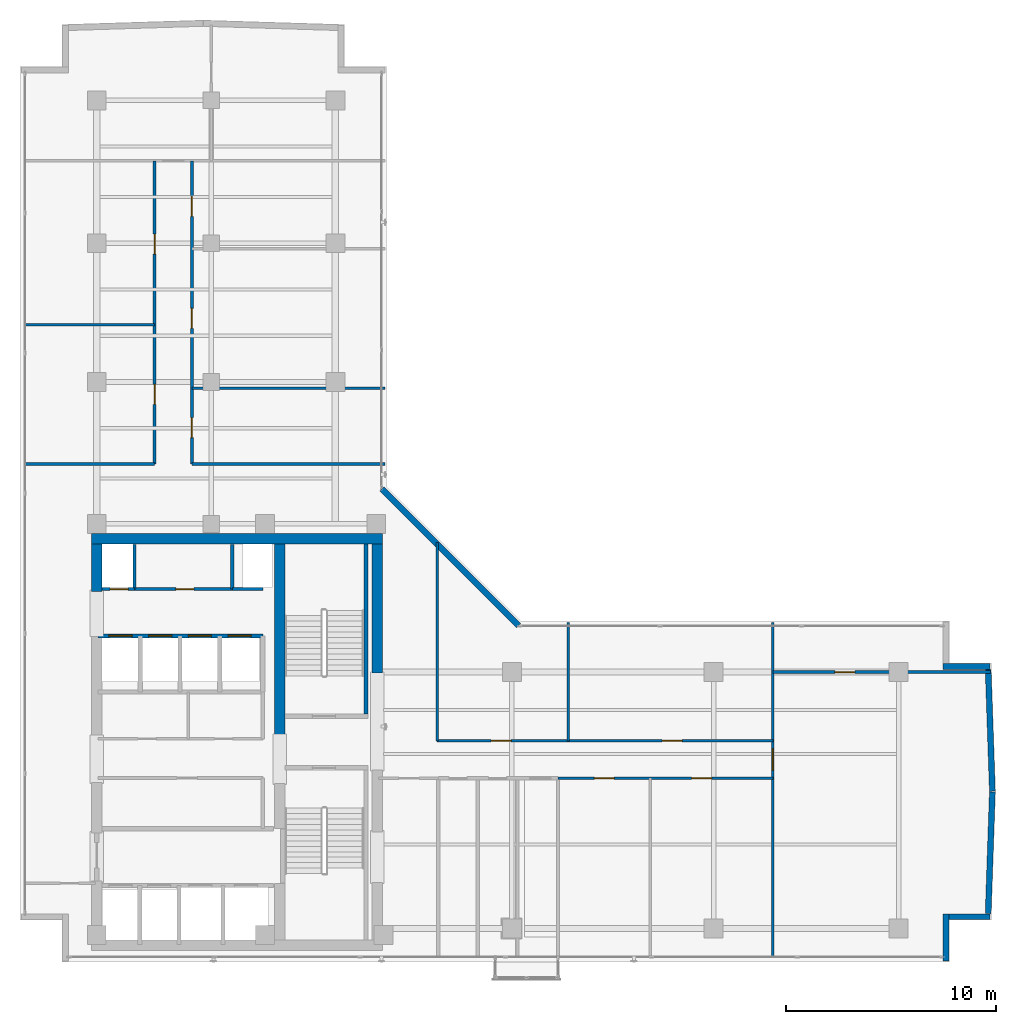
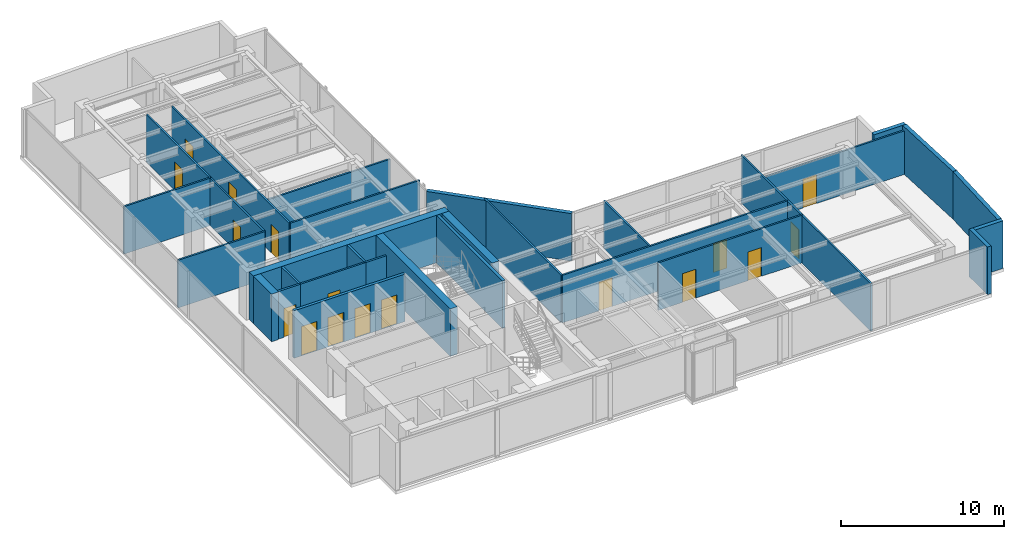
# One storey, part 18 of 22: 29 walls, 17 doors, 17 openings.
"""IFC4 building model written with IfcOpenShell, lengths in metres."""

from ifc_helpers import new_model, si_unit, direction, frame, frame_2d, origin, place, context, subcontext, project, spatial, rectangle, extrude, material, layer, layer_set, type_object, element, fill, save


model = new_model("IFC4")

# Units and contexts
model_context = context("Model", 3, precision=1e-05, world=origin(), true_north=direction((0.0, 1.0)))
body_context = subcontext(model_context, "Body", "Model", "MODEL_VIEW")
ifc_project = project(units=[si_unit("LENGTHUNIT", "METRE"), si_unit("AREAUNIT", "SQUARE_METRE"), si_unit("VOLUMEUNIT", "CUBIC_METRE"), si_unit("PLANEANGLEUNIT", "RADIAN"), si_unit("MASSUNIT", "GRAM", prefix="KILO")], contexts=[model_context])

# Site, building, storey
site_placement = place(None, origin())
site = spatial("IfcSite", under=ifc_project, at=site_placement, CompositionType="ELEMENT")
building_placement = place(site_placement, origin())
building = spatial("IfcBuilding", under=site, at=building_placement, Name="Kolvaren Waterfront Exchange", CompositionType="ELEMENT")
storey_placement = place(building_placement, frame((0.0, 0.0, 323.60009765625)))
storey = spatial("IfcBuildingStorey", under=building, at=storey_placement, Name="L83", CompositionType="ELEMENT", Elevation=323.60009765625)

# Walls
ifc_material_1 = material(Name="Precast concrete C40/50", Category="concrete")
ifc_layer_1 = layer(ifc_material_1, 0.280029296875, Name="Precast concrete C40/50")
ifc_layer_set_1 = layer_set([ifc_layer_1], Name="Precast concrete C40/50")
wall_type_1 = type_object("IfcWallType", Name="ARC-EXT-TERR-280", PredefinedType="SOLIDWALL", material=ifc_layer_set_1)
wall_1_placement = place(storey_placement, frame((47.8505859375, 3.659912109375, 0.0), z_axis=(0.0, 0.0, 1.0), x_axis=(0.0, 1.0, 0.0)))
element("IfcWall", 1, at=wall_1_placement, inside=storey, type_object=wall_type_1, Name="L83 notched corner spandrel pier SE-A", PredefinedType="SOLIDWALL", context=body_context, shape_type="SweptSolid", body=[
    extrude(rectangle(XDim=2.239990234375, YDim=0.280029296875, at=frame_2d((1.1201171875, 0.0))), origin(), (0.0, 0.0, 1.0), 3.559814453125),
])
wall_2_placement = place(storey_placement, frame((47.990478515625, 5.760009765625, 0.0), z_axis=(0.0, 0.0, 1.0), x_axis=(1.0, 0.0, 0.0)))
element("IfcWall", 2, at=wall_2_placement, inside=storey, type_object=wall_type_1, Name="L83 notched corner spandrel pier SE-B", PredefinedType="SOLIDWALL", context=body_context, shape_type="SweptSolid", body=[
    extrude(rectangle(XDim=1.9599609375, YDim=0.280029296875, at=frame_2d((0.97998046875, 0.0))), origin(), (0.0, 0.0, 1.0), 3.559814453125),
])
wall_3_placement = place(storey_placement, frame((47.71044921875, 17.671630859375, 0.0), z_axis=(0.0, 0.0, 1.0), x_axis=(1.0, 0.0, 0.0)))
element("IfcWall", 3, at=wall_3_placement, inside=storey, type_object=wall_type_1, Name="L83 notched corner spandrel pier ENE-B", PredefinedType="SOLIDWALL", context=body_context, shape_type="SweptSolid", body=[
    extrude(rectangle(XDim=2.239990234375, YDim=0.280029296875, at=frame_2d((1.1201171875, 0.0))), origin(), (0.0, 0.0, 1.0), 3.559814453125),
])
wall_4_placement = place(storey_placement, frame((27.5166015625, 19.606689453125, 0.0), z_axis=(0.0, 0.0, 1.0), x_axis=(-0.707106781187, 0.707106781187, 0.0)))
element("IfcWall", 4, at=wall_4_placement, inside=storey, type_object=wall_type_1, Name="L83 notched corner spandrel pier ELBOW", PredefinedType="SOLIDWALL", context=body_context, shape_type="SweptSolid", body=[
    extrude(rectangle(XDim=9.20654296875, YDim=0.280029296875, at=frame_2d((4.603271484375, 0.0))), origin(), (0.0, 0.0, 1.0), 3.559814453125),
])
for number, where, z_axis, x_axis, name in (
    (5, (49.86083984375, 5.9052734375, 0.0), (0.0, 0.0, 1.0), (0.034392681863, 0.99940839672, 0.0), "L83 east prow faceted facade wall 1"),
    (6, (50.060302734375, 11.730224609375, 0.0), (0.0, 0.0, 1.0), (-0.034392681863, 0.99940839672, 0.0), "L83 east prow faceted facade wall 2"),
):
    element("IfcWall", number, at=place(storey_placement, frame(where, z_axis=z_axis, x_axis=x_axis)), inside=storey, type_object=wall_type_1, Name=name, PredefinedType="SOLIDWALL", context=body_context, shape_type="SweptSolid", body=[
        extrude(rectangle(XDim=5.799560546875, YDim=0.280029296875, at=frame_2d((2.89990234375, 0.0))), origin(), (0.0, 0.0, 1.0), 3.559814453125),
    ])

# Wall, opening, door
ifc_material_2 = material(Name="Acoustic gypsum steel stud", Category="steel")
ifc_layer_2 = layer(ifc_material_2, 0.125, Name="Acoustic gypsum steel stud")
ifc_layer_set_2 = layer_set([ifc_layer_2], Name="Acoustic gypsum steel stud")
wall_type_2 = type_object("IfcWallType", Name="ARC-PART-125", PredefinedType="PARTITIONING", material=ifc_layer_set_2)
wall_5_placement = place(storey_placement, frame((9.25, 21.35009765625, 0.0), z_axis=(0.0, 0.0, 1.0), x_axis=(1.0, 0.0, 0.0)))
wall_5 = element("IfcWall", 7, at=wall_5_placement, inside=storey, type_object=wall_type_2, Name="L83 interior wall PW-L83-SVC-HI-S", PredefinedType="PARTITIONING", context=body_context, shape_type="SweptSolid", body=[
    extrude(rectangle(XDim=4.64990234375, YDim=0.125, at=frame_2d((2.324951171875, 0.0))), origin(), (0.0, 0.0, 1.0), 3.559814453125),
])
opening_1_placement = place(wall_5_placement, frame((1.971435546875, 0.0, 0.0)))
opening_1 = element("IfcOpeningElement", 8, at=opening_1_placement, cuts=wall_5, Name="Opening D01", PredefinedType="OPENING", context=body_context, shape_type="SweptSolid", body=[
    extrude(rectangle(XDim=0.85009765625, YDim=2.14990234375, at=frame_2d((0.425048828125, 1.074951171875))), frame((0.0, 0.072509765625, 0.0), z_axis=(0.0, -1.0, 0.0), x_axis=(1.0, 0.0, 0.0)), (0.0, 0.0, 1.0), 0.14501953125),
])
ifc_material_3 = material(Name="Oak veneer timber leaf", Category="wood")
door_type_1 = type_object("IfcDoorType", Name="ARC-DR-900", OperationType="NOTDEFINED", PredefinedType="DOOR", material=ifc_material_3)
door_1_placement = place(opening_1_placement, origin())
door_1 = element("IfcDoor", 9, at=door_1_placement, inside=storey, type_object=door_type_1, Name="L83 door DR-L83-SVC-DR-1 (D01)", OperationType="SINGLE_SWING_LEFT", OverallHeight=2.14990234375, OverallWidth=0.85009765625, PredefinedType="DOOR", context=body_context, shape_type="SweptSolid", body=[
    extrude(rectangle(XDim=0.85009765625, YDim=2.14990234375, at=frame_2d((0.425048828125, 1.074951171875))), frame((0.0, 0.02490234375, 0.0), z_axis=(0.0, -1.0, 0.0), x_axis=(1.0, 0.0, 0.0)), (0.0, 0.0, 1.0), 0.050048828125),
])
fill(opening_1, door_1)

# Wall, openings, doors
wall_6_placement = place(storey_placement, frame((29.39990234375, 12.35009765625, 0.0), z_axis=(0.0, 0.0, 1.0), x_axis=(1.0, 0.0, 0.0)))
wall_6 = element("IfcWall", 10, at=wall_6_placement, inside=storey, type_object=wall_type_2, Name="L83 interior wall PW-L83-ES-CORR", PredefinedType="PARTITIONING", context=body_context, shape_type="SweptSolid", body=[
    extrude(rectangle(XDim=10.22021484375, YDim=0.125, at=frame_2d((5.110107421875, 0.0))), origin(), (0.0, 0.0, 1.0), 3.559814453125),
])
opening_2_placement = place(wall_6_placement, frame((1.719970703125, 0.0, 0.0)))
opening_2 = element("IfcOpeningElement", 11, at=opening_2_placement, cuts=wall_6, Name="Opening D02", PredefinedType="OPENING", context=body_context, shape_type="SweptSolid", body=[
    extrude(rectangle(XDim=0.949951171875, YDim=2.14990234375, at=frame_2d((0.47509765625, 1.074951171875))), frame((0.0, 0.072509765625, 0.0), z_axis=(0.0, -1.0, 0.0), x_axis=(1.0, 0.0, 0.0)), (0.0, 0.0, 1.0), 0.14501953125),
])
opening_3_placement = place(wall_6_placement, frame((6.35498046875, 0.0, 0.0)))
opening_3 = element("IfcOpeningElement", 12, at=opening_3_placement, cuts=wall_6, Name="Opening D02", PredefinedType="OPENING", context=body_context, shape_type="SweptSolid", body=[
    extrude(rectangle(XDim=0.949951171875, YDim=2.14990234375, at=frame_2d((0.47509765625, 1.074951171875))), frame((0.0, 0.072509765625, 0.0), z_axis=(0.0, -1.0, 0.0), x_axis=(1.0, 0.0, 0.0)), (0.0, 0.0, 1.0), 0.14501953125),
])
ifc_material_4 = material(Name="Oak veneer acoustic timber", Category="wood")
door_type_2 = type_object("IfcDoorType", Name="ARC-DR-950", OperationType="NOTDEFINED", PredefinedType="DOOR", material=ifc_material_4)
door_2_placement = place(opening_2_placement, origin())
door_2 = element("IfcDoor", 13, at=door_2_placement, inside=storey, type_object=door_type_2, Name="L83 door DR-L83-ES-D-1 (D02)", OperationType="SINGLE_SWING_LEFT", OverallHeight=2.14990234375, OverallWidth=0.949951171875, PredefinedType="DOOR", context=body_context, shape_type="SweptSolid", body=[
    extrude(rectangle(XDim=0.949951171875, YDim=2.14990234375, at=frame_2d((0.47509765625, 1.074951171875))), frame((0.0, 0.02490234375, 0.0), z_axis=(0.0, -1.0, 0.0), x_axis=(1.0, 0.0, 0.0)), (0.0, 0.0, 1.0), 0.050048828125),
])
fill(opening_2, door_2)
door_3_placement = place(opening_3_placement, origin())
door_3 = element("IfcDoor", 14, at=door_3_placement, inside=storey, type_object=door_type_2, Name="L83 door DR-L83-ES-D-2 (D02)", OperationType="SINGLE_SWING_RIGHT", OverallHeight=2.14990234375, OverallWidth=0.949951171875, PredefinedType="DOOR", context=body_context, shape_type="SweptSolid", body=[
    extrude(rectangle(XDim=0.949951171875, YDim=2.14990234375, at=frame_2d((0.47509765625, 1.074951171875))), frame((0.0, 0.02490234375, 0.0), z_axis=(0.0, -1.0, 0.0), x_axis=(1.0, 0.0, 0.0)), (0.0, 0.0, 1.0), 0.050048828125),
])
fill(opening_3, door_3)

# Wall, opening, door
wall_7_placement = place(storey_placement, frame((39.6201171875, 3.840087890625, 0.0), z_axis=(0.0, 0.0, 1.0), x_axis=(0.0, 1.0, 0.0)))
wall_7 = element("IfcWall", 15, at=wall_7_placement, inside=storey, type_object=wall_type_2, Name="L83 interior wall PW-L83-ETIP-W", PredefinedType="PARTITIONING", context=body_context, shape_type="SweptSolid", body=[
    extrude(rectangle(XDim=15.919921875, YDim=0.125, at=frame_2d((7.9599609375, 0.0))), origin(), (0.0, 0.0, 1.0), 3.559814453125),
])
opening_4_placement = place(wall_7_placement, frame((8.89990234375, 0.0, 0.0)))
opening_4 = element("IfcOpeningElement", 16, at=opening_4_placement, cuts=wall_7, Name="Opening D03", PredefinedType="OPENING", context=body_context, shape_type="SweptSolid", body=[
    extrude(rectangle(XDim=1.0, YDim=2.199951171875, at=frame_2d((0.5, 1.10009765625))), frame((0.0, 0.072509765625, 0.0), z_axis=(0.0, -1.0, 0.0), x_axis=(1.0, 0.0, 0.0)), (0.0, 0.0, 1.0), 0.14501953125),
])
ifc_material_5 = material(Name="Oak veneer accessible timber", Category="wood")
door_type_3 = type_object("IfcDoorType", Name="ARC-DR-1000", OperationType="NOTDEFINED", PredefinedType="DOOR", material=ifc_material_5)
door_4_placement = place(opening_4_placement, origin())
door_4 = element("IfcDoor", 17, at=door_4_placement, inside=storey, type_object=door_type_3, Name="L83 door DR-L83-ETIP1-D (D03)", OperationType="SINGLE_SWING_LEFT", OverallHeight=2.199951171875, OverallWidth=1.0, PredefinedType="DOOR", context=body_context, shape_type="SweptSolid", body=[
    extrude(rectangle(XDim=1.0, YDim=2.199951171875, at=frame_2d((0.5, 1.10009765625))), frame((0.0, 0.02490234375, 0.0), z_axis=(0.0, -1.0, 0.0), x_axis=(1.0, 0.0, 0.0)), (0.0, 0.0, 1.0), 0.050048828125),
])
fill(opening_4, door_4)

wall_8_placement = place(storey_placement, frame((39.6201171875, 17.39990234375, 0.0), z_axis=(0.0, 0.0, 1.0), x_axis=(1.0, 0.0, 0.0)))
wall_8 = element("IfcWall", 18, at=wall_8_placement, inside=storey, type_object=wall_type_2, Name="L83 interior wall PW-L83-ETIP-MID", PredefinedType="PARTITIONING", context=body_context, shape_type="SweptSolid", body=[
    extrude(rectangle(XDim=10.36083984375, YDim=0.125, at=frame_2d((5.180419921875, 0.0))), origin(), (0.0, 0.0, 1.0), 3.260009765625),
])
opening_5_placement = place(wall_8_placement, frame((2.949951171875, 0.0, 0.0)))
opening_5 = element("IfcOpeningElement", 19, at=opening_5_placement, cuts=wall_8, Name="Opening D02", PredefinedType="OPENING", context=body_context, shape_type="SweptSolid", body=[
    extrude(rectangle(XDim=0.949951171875, YDim=2.14990234375, at=frame_2d((0.47509765625, 1.074951171875))), frame((0.0, 0.072509765625, 0.0), z_axis=(0.0, -1.0, 0.0), x_axis=(1.0, 0.0, 0.0)), (0.0, 0.0, 1.0), 0.14501953125),
])
door_5_placement = place(opening_5_placement, origin())
door_5 = element("IfcDoor", 20, at=door_5_placement, inside=storey, type_object=door_type_2, Name="L83 door DR-L83-ETIP2-D (D02)", OperationType="SINGLE_SWING_RIGHT", OverallHeight=2.14990234375, OverallWidth=0.949951171875, PredefinedType="DOOR", context=body_context, shape_type="SweptSolid", body=[
    extrude(rectangle(XDim=0.949951171875, YDim=2.14990234375, at=frame_2d((0.47509765625, 1.074951171875))), frame((0.0, 0.02490234375, 0.0), z_axis=(0.0, -1.0, 0.0), x_axis=(1.0, 0.0, 0.0)), (0.0, 0.0, 1.0), 0.050048828125),
])
fill(opening_5, door_5)

# Wall
wall_9_placement = place(storey_placement, frame((23.64990234375, 14.1298828125, 0.0), z_axis=(0.0, 0.0, 1.0), x_axis=(0.0, 1.0, 0.0)))
element("IfcWall", 21, at=wall_9_placement, inside=storey, type_object=wall_type_2, Name="L83 interior wall PW-L83-EN-W0", PredefinedType="PARTITIONING", context=body_context, shape_type="SweptSolid", body=[
    extrude(rectangle(XDim=9.443359375, YDim=0.125, at=frame_2d((4.7216796875, 0.0))), origin(), (0.0, 0.0, 1.0), 3.559814453125),
])

# Wall, openings, doors
wall_10_placement = place(storey_placement, frame((23.64990234375, 14.1298828125, 0.0), z_axis=(0.0, 0.0, 1.0), x_axis=(1.0, 0.0, 0.0)))
wall_10 = element("IfcWall", 22, at=wall_10_placement, inside=storey, type_object=wall_type_2, Name="L83 interior wall PW-L83-EN-CORR", PredefinedType="PARTITIONING", context=body_context, shape_type="SweptSolid", body=[
    extrude(rectangle(XDim=15.97021484375, YDim=0.125, at=frame_2d((7.985107421875, 0.0))), origin(), (0.0, 0.0, 1.0), 3.559814453125),
])
opening_6_placement = place(wall_10_placement, frame((2.567626953125, 0.0, 0.0)))
opening_6 = element("IfcOpeningElement", 23, at=opening_6_placement, cuts=wall_10, Name="Opening D02", PredefinedType="OPENING", context=body_context, shape_type="SweptSolid", body=[
    extrude(rectangle(XDim=0.949951171875, YDim=2.14990234375, at=frame_2d((0.47509765625, 1.074951171875))), frame((0.0, 0.072509765625, 0.0), z_axis=(0.0, -1.0, 0.0), x_axis=(1.0, 0.0, 0.0)), (0.0, 0.0, 1.0), 0.14501953125),
])
opening_7_placement = place(wall_10_placement, frame((10.695068359375, 0.0, 0.0)))
opening_7 = element("IfcOpeningElement", 24, at=opening_7_placement, cuts=wall_10, Name="Opening D02", PredefinedType="OPENING", context=body_context, shape_type="SweptSolid", body=[
    extrude(rectangle(XDim=0.949951171875, YDim=2.14990234375, at=frame_2d((0.47509765625, 1.074951171875))), frame((0.0, 0.072509765625, 0.0), z_axis=(0.0, -1.0, 0.0), x_axis=(1.0, 0.0, 0.0)), (0.0, 0.0, 1.0), 0.14501953125),
])
door_6_placement = place(opening_6_placement, origin())
door_6 = element("IfcDoor", 25, at=door_6_placement, inside=storey, type_object=door_type_2, Name="L83 door DR-L83-EN-D-1 (D02)", OperationType="SINGLE_SWING_LEFT", OverallHeight=2.14990234375, OverallWidth=0.949951171875, PredefinedType="DOOR", context=body_context, shape_type="SweptSolid", body=[
    extrude(rectangle(XDim=0.949951171875, YDim=2.14990234375, at=frame_2d((0.47509765625, 1.074951171875))), frame((0.0, 0.02490234375, 0.0), z_axis=(0.0, -1.0, 0.0), x_axis=(1.0, 0.0, 0.0)), (0.0, 0.0, 1.0), 0.050048828125),
])
fill(opening_6, door_6)
door_7_placement = place(opening_7_placement, origin())
door_7 = element("IfcDoor", 26, at=door_7_placement, inside=storey, type_object=door_type_2, Name="L83 door DR-L83-EN-D-2 (D02)", OperationType="SINGLE_SWING_RIGHT", OverallHeight=2.14990234375, OverallWidth=0.949951171875, PredefinedType="DOOR", context=body_context, shape_type="SweptSolid", body=[
    extrude(rectangle(XDim=0.949951171875, YDim=2.14990234375, at=frame_2d((0.47509765625, 1.074951171875))), frame((0.0, 0.02490234375, 0.0), z_axis=(0.0, -1.0, 0.0), x_axis=(1.0, 0.0, 0.0)), (0.0, 0.0, 1.0), 0.050048828125),
])
fill(opening_7, door_7)

# Walls
wall_11_placement = place(storey_placement, frame((29.8798828125, 14.1298828125, 0.0), z_axis=(0.0, 0.0, 1.0), x_axis=(0.0, 1.0, 0.0)))
element("IfcWall", 27, at=wall_11_placement, inside=storey, type_object=wall_type_2, Name="L83 interior wall PW-L83-EN-DIV-1", PredefinedType="PARTITIONING", context=body_context, shape_type="SweptSolid", body=[
    extrude(rectangle(XDim=5.630126953125, YDim=0.125, at=frame_2d((2.81494140625, 0.0))), origin(), (0.0, 0.0, 1.0), 3.559814453125),
])
wall_12_placement = place(storey_placement, frame((4.0400390625, 27.300048828125, 0.0), z_axis=(0.0, 0.0, 1.0), x_axis=(1.0, 0.0, 0.0)))
element("IfcWall", 28, at=wall_12_placement, inside=storey, type_object=wall_type_2, Name="L83 interior wall PW-L83-NW-S0", PredefinedType="PARTITIONING", context=body_context, shape_type="SweptSolid", body=[
    extrude(rectangle(XDim=6.159912109375, YDim=0.125, at=frame_2d((3.080078125, 0.0))), origin(), (0.0, 0.0, 1.0), 3.559814453125),
])

# Wall, openings, doors
wall_13_placement = place(storey_placement, frame((10.199951171875, 27.300048828125, 0.0), z_axis=(0.0, 0.0, 1.0), x_axis=(0.0, 1.0, 0.0)))
wall_13 = element("IfcWall", 29, at=wall_13_placement, inside=storey, type_object=wall_type_2, Name="L83 interior wall PW-L83-NW-CORR", PredefinedType="PARTITIONING", context=body_context, shape_type="SweptSolid", body=[
    extrude(rectangle(XDim=14.419921875, YDim=0.125, at=frame_2d((7.2099609375, 0.0))), origin(), (0.0, 0.0, 1.0), 3.559814453125),
])
opening_8_placement = place(wall_13_placement, frame((2.840087890625, 0.0, 0.0)))
opening_8 = element("IfcOpeningElement", 30, at=opening_8_placement, cuts=wall_13, Name="Opening D02", PredefinedType="OPENING", context=body_context, shape_type="SweptSolid", body=[
    extrude(rectangle(XDim=0.949951171875, YDim=2.14990234375, at=frame_2d((0.47509765625, 1.074951171875))), frame((0.0, 0.072509765625, 0.0), z_axis=(0.0, -1.0, 0.0), x_axis=(1.0, 0.0, 0.0)), (0.0, 0.0, 1.0), 0.14501953125),
])
opening_9_placement = place(wall_13_placement, frame((9.979736328125, 0.0, 0.0)))
opening_9 = element("IfcOpeningElement", 31, at=opening_9_placement, cuts=wall_13, Name="Opening D02", PredefinedType="OPENING", context=body_context, shape_type="SweptSolid", body=[
    extrude(rectangle(XDim=0.949951171875, YDim=2.14990234375, at=frame_2d((0.47509765625, 1.074951171875))), frame((0.0, 0.072509765625, 0.0), z_axis=(0.0, -1.0, 0.0), x_axis=(1.0, 0.0, 0.0)), (0.0, 0.0, 1.0), 0.14501953125),
])
door_8_placement = place(opening_8_placement, origin())
door_8 = element("IfcDoor", 32, at=door_8_placement, inside=storey, type_object=door_type_2, Name="L83 door DR-L83-NW-D-1 (D02)", OperationType="SINGLE_SWING_LEFT", OverallHeight=2.14990234375, OverallWidth=0.949951171875, PredefinedType="DOOR", context=body_context, shape_type="SweptSolid", body=[
    extrude(rectangle(XDim=0.949951171875, YDim=2.14990234375, at=frame_2d((0.47509765625, 1.074951171875))), frame((0.0, 0.02490234375, 0.0), z_axis=(0.0, -1.0, 0.0), x_axis=(1.0, 0.0, 0.0)), (0.0, 0.0, 1.0), 0.050048828125),
])
fill(opening_8, door_8)
door_9_placement = place(opening_9_placement, origin())
door_9 = element("IfcDoor", 33, at=door_9_placement, inside=storey, type_object=door_type_2, Name="L83 door DR-L83-NW-D-2 (D02)", OperationType="SINGLE_SWING_RIGHT", OverallHeight=2.14990234375, OverallWidth=0.949951171875, PredefinedType="DOOR", context=body_context, shape_type="SweptSolid", body=[
    extrude(rectangle(XDim=0.949951171875, YDim=2.14990234375, at=frame_2d((0.47509765625, 1.074951171875))), frame((0.0, 0.02490234375, 0.0), z_axis=(0.0, -1.0, 0.0), x_axis=(1.0, 0.0, 0.0)), (0.0, 0.0, 1.0), 0.050048828125),
])
fill(opening_9, door_9)

# Walls
wall_14_placement = place(storey_placement, frame((4.0400390625, 33.929931640625, 0.0), z_axis=(0.0, 0.0, 1.0), x_axis=(1.0, 0.0, 0.0)))
element("IfcWall", 34, at=wall_14_placement, inside=storey, type_object=wall_type_2, Name="L83 interior wall PW-L83-NW-DIV-1", PredefinedType="PARTITIONING", context=body_context, shape_type="SweptSolid", body=[
    extrude(rectangle(XDim=6.159912109375, YDim=0.125, at=frame_2d((3.080078125, 0.0))), origin(), (0.0, 0.0, 1.0), 3.559814453125),
])
wall_15_placement = place(storey_placement, frame((11.97998046875, 27.300048828125, 0.0), z_axis=(0.0, 0.0, 1.0), x_axis=(1.0, 0.0, 0.0)))
element("IfcWall", 35, at=wall_15_placement, inside=storey, type_object=wall_type_2, Name="L83 interior wall PW-L83-NE-S0", PredefinedType="PARTITIONING", context=body_context, shape_type="SweptSolid", body=[
    extrude(rectangle(XDim=9.179931640625, YDim=0.125, at=frame_2d((4.58984375, 0.0))), origin(), (0.0, 0.0, 1.0), 3.559814453125),
])

# Wall, openings, doors
wall_16_placement = place(storey_placement, frame((11.97998046875, 27.300048828125, 0.0), z_axis=(0.0, 0.0, 1.0), x_axis=(0.0, 1.0, 0.0)))
wall_16 = element("IfcWall", 36, at=wall_16_placement, inside=storey, type_object=wall_type_2, Name="L83 interior wall PW-L83-NE-CORR", PredefinedType="PARTITIONING", context=body_context, shape_type="SweptSolid", body=[
    extrude(rectangle(XDim=14.419921875, YDim=0.125, at=frame_2d((7.2099609375, 0.0))), origin(), (0.0, 0.0, 1.0), 3.559814453125),
])
opening_10_placement = place(wall_16_placement, frame((1.258544921875, 0.0, 0.0)))
opening_10 = element("IfcOpeningElement", 37, at=opening_10_placement, cuts=wall_16, Name="Opening D02", PredefinedType="OPENING", context=body_context, shape_type="SweptSolid", body=[
    extrude(rectangle(XDim=0.949951171875, YDim=2.14990234375, at=frame_2d((0.47509765625, 1.074951171875))), frame((0.0, 0.072509765625, 0.0), z_axis=(0.0, -1.0, 0.0), x_axis=(1.0, 0.0, 0.0)), (0.0, 0.0, 1.0), 0.14501953125),
])
opening_11_placement = place(wall_16_placement, frame((6.449951171875, 0.0, 0.0)))
opening_11 = element("IfcOpeningElement", 38, at=opening_11_placement, cuts=wall_16, Name="Opening D02", PredefinedType="OPENING", context=body_context, shape_type="SweptSolid", body=[
    extrude(rectangle(XDim=0.949951171875, YDim=2.14990234375, at=frame_2d((0.47509765625, 1.074951171875))), frame((0.0, 0.072509765625, 0.0), z_axis=(0.0, -1.0, 0.0), x_axis=(1.0, 0.0, 0.0)), (0.0, 0.0, 1.0), 0.14501953125),
])
opening_12_placement = place(wall_16_placement, frame((11.783447265625, 0.0, 0.0)))
opening_12 = element("IfcOpeningElement", 39, at=opening_12_placement, cuts=wall_16, Name="Opening D02", PredefinedType="OPENING", context=body_context, shape_type="SweptSolid", body=[
    extrude(rectangle(XDim=0.949951171875, YDim=2.14990234375, at=frame_2d((0.47509765625, 1.074951171875))), frame((0.0, 0.072509765625, 0.0), z_axis=(0.0, -1.0, 0.0), x_axis=(1.0, 0.0, 0.0)), (0.0, 0.0, 1.0), 0.14501953125),
])
door_10_placement = place(opening_10_placement, origin())
door_10 = element("IfcDoor", 40, at=door_10_placement, inside=storey, type_object=door_type_2, Name="L83 door DR-L83-NE-D-1 (D02)", OperationType="SINGLE_SWING_LEFT", OverallHeight=2.14990234375, OverallWidth=0.949951171875, PredefinedType="DOOR", context=body_context, shape_type="SweptSolid", body=[
    extrude(rectangle(XDim=0.949951171875, YDim=2.14990234375, at=frame_2d((0.47509765625, 1.074951171875))), frame((0.0, 0.02490234375, 0.0), z_axis=(0.0, -1.0, 0.0), x_axis=(1.0, 0.0, 0.0)), (0.0, 0.0, 1.0), 0.050048828125),
])
fill(opening_10, door_10)
door_11_placement = place(opening_11_placement, origin())
door_11 = element("IfcDoor", 41, at=door_11_placement, inside=storey, type_object=door_type_2, Name="L83 door DR-L83-NE-D-2 (D02)", OperationType="SINGLE_SWING_RIGHT", OverallHeight=2.14990234375, OverallWidth=0.949951171875, PredefinedType="DOOR", context=body_context, shape_type="SweptSolid", body=[
    extrude(rectangle(XDim=0.949951171875, YDim=2.14990234375, at=frame_2d((0.47509765625, 1.074951171875))), frame((0.0, 0.02490234375, 0.0), z_axis=(0.0, -1.0, 0.0), x_axis=(1.0, 0.0, 0.0)), (0.0, 0.0, 1.0), 0.050048828125),
])
fill(opening_11, door_11)
door_12_placement = place(opening_12_placement, origin())
door_12 = element("IfcDoor", 42, at=door_12_placement, inside=storey, type_object=door_type_2, Name="L83 door DR-L83-NE-D-3 (D02)", OperationType="SINGLE_SWING_LEFT", OverallHeight=2.14990234375, OverallWidth=0.949951171875, PredefinedType="DOOR", context=body_context, shape_type="SweptSolid", body=[
    extrude(rectangle(XDim=0.949951171875, YDim=2.14990234375, at=frame_2d((0.47509765625, 1.074951171875))), frame((0.0, 0.02490234375, 0.0), z_axis=(0.0, -1.0, 0.0), x_axis=(1.0, 0.0, 0.0)), (0.0, 0.0, 1.0), 0.050048828125),
])
fill(opening_12, door_12)

# Walls
wall_17_placement = place(storey_placement, frame((11.97998046875, 30.909912109375, 0.0), z_axis=(0.0, 0.0, 1.0), x_axis=(1.0, 0.0, 0.0)))
element("IfcWall", 43, at=wall_17_placement, inside=storey, type_object=wall_type_2, Name="L83 interior wall PW-L83-NE-DIV-1", PredefinedType="PARTITIONING", context=body_context, shape_type="SweptSolid", body=[
    extrude(rectangle(XDim=9.179931640625, YDim=0.125, at=frame_2d((4.58984375, 0.0))), origin(), (0.0, 0.0, 1.0), 2.9599609375),
])
ifc_material_6 = material(Name="Gypsum fireboard steel stud", Category="steel")
ifc_layer_3 = layer(ifc_material_6, 0.14990234375, Name="Gypsum fireboard steel stud")
ifc_layer_set_3 = layer_set([ifc_layer_3], Name="Gypsum fireboard steel stud")
wall_type_3 = type_object("IfcWallType", Name="ARC-PART-150", PredefinedType="PARTITIONING", material=ifc_layer_set_3)
for number, where, z_axis, x_axis, name in (
    (44, (9.25, 21.35009765625, 0.0), (0.0, 0.0, 1.0), (0.0, 1.0, 0.0), "L83 interior wall PW-L83-SVC-R1"),
    (45, (13.89990234375, 21.35009765625, 0.0), (0.0, 0.0, 1.0), (0.0, 1.0, 0.0), "L83 interior wall PW-L83-SVC-R2"),
):
    element("IfcWall", number, at=place(storey_placement, frame(where, z_axis=z_axis, x_axis=x_axis)), inside=storey, type_object=wall_type_3, Name=name, PredefinedType="PARTITIONING", context=body_context, shape_type="SweptSolid", body=[
        extrude(rectangle(XDim=2.1298828125, YDim=0.14990234375, at=frame_2d((1.06494140625, 0.0))), origin(), (0.0, 0.0, 1.0), 3.559814453125),
    ])

# Wall, opening, door
wall_18_placement = place(storey_placement, frame((7.699951171875, 21.35009765625, 0.0), z_axis=(0.0, 0.0, 1.0), x_axis=(1.0, 0.0, 0.0)))
wall_18 = element("IfcWall", 46, at=wall_18_placement, inside=storey, type_object=wall_type_3, Name="L83 interior wall PW-L83-SVC-RE-S", PredefinedType="PARTITIONING", context=body_context, shape_type="SweptSolid", body=[
    extrude(rectangle(XDim=1.550048828125, YDim=0.14990234375, at=frame_2d((0.77490234375, 0.0))), origin(), (0.0, 0.0, 1.0), 3.559814453125),
])
opening_13_placement = place(wall_18_placement, frame((0.389892578125, 0.0, 0.0)))
opening_13 = element("IfcOpeningElement", 47, at=opening_13_placement, cuts=wall_18, Name="Opening FD1", PredefinedType="OPENING", context=body_context, shape_type="SweptSolid", body=[
    extrude(rectangle(XDim=0.85009765625, YDim=2.14990234375, at=frame_2d((0.425048828125, 1.074951171875))), frame((0.0, 0.0849609375, 0.0), z_axis=(0.0, -1.0, 0.0), x_axis=(1.0, 0.0, 0.0)), (0.0, 0.0, 1.0), 0.169921875),
])
ifc_material_7 = material(Name="Pressed steel fire leaf", Category="steel")
door_type_4 = type_object("IfcDoorType", Name="ARC-FD-900", OperationType="NOTDEFINED", PredefinedType="DOOR", material=ifc_material_7)
door_13_placement = place(opening_13_placement, origin())
door_13 = element("IfcDoor", 48, at=door_13_placement, inside=storey, type_object=door_type_4, Name="L83 door DR-L83-RISER-E-DR (FD1)", OperationType="SINGLE_SWING_RIGHT", OverallHeight=2.14990234375, OverallWidth=0.85009765625, PredefinedType="DOOR", context=body_context, shape_type="SweptSolid", body=[
    extrude(rectangle(XDim=0.85009765625, YDim=2.14990234375, at=frame_2d((0.425048828125, 1.074951171875))), frame((0.0, 0.02490234375, 0.0), z_axis=(0.0, -1.0, 0.0), x_axis=(1.0, 0.0, 0.0)), (0.0, 0.0, 1.0), 0.050048828125),
])
fill(opening_13, door_13)

# Walls
wall_19_placement = place(storey_placement, frame((13.89990234375, 21.35009765625, 0.0), z_axis=(0.0, 0.0, 1.0), x_axis=(1.0, 0.0, 0.0)))
element("IfcWall", 49, at=wall_19_placement, inside=storey, type_object=wall_type_3, Name="L83 interior wall PW-L83-SVC-RP-S", PredefinedType="PARTITIONING", context=body_context, shape_type="SweptSolid", body=[
    extrude(rectangle(XDim=1.4501953125, YDim=0.14990234375, at=frame_2d((0.72509765625, 0.0))), origin(), (0.0, 0.0, 1.0), 3.559814453125),
])
ifc_material_8 = material(Name="Concrete C40/50", Category="concrete")
ifc_layer_4 = layer(ifc_material_8, 0.199951171875, Name="Concrete C40/50")
ifc_layer_set_4 = layer_set([ifc_layer_4], Name="Concrete C40/50")
wall_type_4 = type_object("IfcWallType", Name="ARC-SHAFT-200", PredefinedType="PARTITIONING", material=ifc_layer_set_4)
wall_20_placement = place(storey_placement, frame((20.260009765625, 15.39990234375, 0.0), z_axis=(0.0, 0.0, 1.0), x_axis=(0.0, 1.0, 0.0)))
element("IfcWall", 50, at=wall_20_placement, inside=storey, type_object=wall_type_4, Name="L83 structural stairwell wall PW-L83-ST2-E", PredefinedType="SHEAR", context=body_context, shape_type="SweptSolid", body=[
    extrude(rectangle(XDim=8.090087890625, YDim=0.199951171875, at=frame_2d((4.044921875, 0.0))), origin(), (0.0, 0.0, 1.0), 3.559814453125),
])

# Wall, openings, doors
wall_21_placement = place(storey_placement, frame((7.5, 19.1201171875, 0.0), z_axis=(0.0, 0.0, 1.0), x_axis=(1.0, 0.0, 0.0)))
wall_21 = element("IfcWall", 51, at=wall_21_placement, inside=storey, type_object=wall_type_4, Name="L83 interior wall PW-L83-PH-N", PredefinedType="PARTITIONING", context=body_context, shape_type="SweptSolid", body=[
    extrude(rectangle(XDim=7.85009765625, YDim=0.199951171875, at=frame_2d((3.925048828125, 0.0))), origin(), (0.0, 0.0, 1.0), 3.559814453125),
])
opening_14_placement = place(wall_21_placement, frame((0.530029296875, 0.0, 0.0)))
opening_14 = element("IfcOpeningElement", 52, at=opening_14_placement, cuts=wall_21, Name="Opening LD2", PredefinedType="OPENING", context=body_context, shape_type="SweptSolid", body=[
    extrude(rectangle(XDim=1.10009765625, YDim=2.199951171875, at=frame_2d((0.550048828125, 1.10009765625))), frame((0.0, 0.10986328125, 0.0), z_axis=(0.0, -1.0, 0.0), x_axis=(1.0, 0.0, 0.0)), (0.0, 0.0, 1.0), 0.219970703125),
])
opening_15_placement = place(wall_21_placement, frame((2.419921875, 0.0, 0.0)))
opening_15 = element("IfcOpeningElement", 53, at=opening_15_placement, cuts=wall_21, Name="Opening LD2", PredefinedType="OPENING", context=body_context, shape_type="SweptSolid", body=[
    extrude(rectangle(XDim=1.10009765625, YDim=2.199951171875, at=frame_2d((0.550048828125, 1.10009765625))), frame((0.0, 0.10986328125, 0.0), z_axis=(0.0, -1.0, 0.0), x_axis=(1.0, 0.0, 0.0)), (0.0, 0.0, 1.0), 0.219970703125),
])
opening_16_placement = place(wall_21_placement, frame((4.31005859375, 0.0, 0.0)))
opening_16 = element("IfcOpeningElement", 54, at=opening_16_placement, cuts=wall_21, Name="Opening LD2", PredefinedType="OPENING", context=body_context, shape_type="SweptSolid", body=[
    extrude(rectangle(XDim=1.10009765625, YDim=2.199951171875, at=frame_2d((0.550048828125, 1.10009765625))), frame((0.0, 0.10986328125, 0.0), z_axis=(0.0, -1.0, 0.0), x_axis=(1.0, 0.0, 0.0)), (0.0, 0.0, 1.0), 0.219970703125),
])
opening_17_placement = place(wall_21_placement, frame((6.199951171875, 0.0, 0.0)))
opening_17 = element("IfcOpeningElement", 55, at=opening_17_placement, cuts=wall_21, Name="Opening LD2", PredefinedType="OPENING", context=body_context, shape_type="SweptSolid", body=[
    extrude(rectangle(XDim=1.10009765625, YDim=2.199951171875, at=frame_2d((0.550048828125, 1.10009765625))), frame((0.0, 0.10986328125, 0.0), z_axis=(0.0, -1.0, 0.0), x_axis=(1.0, 0.0, 0.0)), (0.0, 0.0, 1.0), 0.219970703125),
])
ifc_material_9 = material(Name="Brushed bronze sliding landing door", Category="aluminium")
door_type_5 = type_object("IfcDoorType", Name="ARC-LD-PAX", OperationType="SLIDING_TO_LEFT", PredefinedType="DOOR", material=ifc_material_9)
door_14_placement = place(opening_14_placement, origin())
door_14 = element("IfcDoor", 56, at=door_14_placement, inside=storey, type_object=door_type_5, Name="L83 door LD-L83-PH1 (LD2)", OperationType="SLIDING_TO_LEFT", OverallHeight=2.199951171875, OverallWidth=1.10009765625, PredefinedType="DOOR", context=body_context, shape_type="SweptSolid", body=[
    extrude(rectangle(XDim=1.10009765625, YDim=2.199951171875, at=frame_2d((0.550048828125, 1.10009765625))), frame((0.0, 0.02490234375, 0.0), z_axis=(0.0, -1.0, 0.0), x_axis=(1.0, 0.0, 0.0)), (0.0, 0.0, 1.0), 0.050048828125),
])
fill(opening_14, door_14)
door_15_placement = place(opening_15_placement, origin())
door_15 = element("IfcDoor", 57, at=door_15_placement, inside=storey, type_object=door_type_5, Name="L83 door LD-L83-PH2 (LD2)", OperationType="SLIDING_TO_LEFT", OverallHeight=2.199951171875, OverallWidth=1.10009765625, PredefinedType="DOOR", context=body_context, shape_type="SweptSolid", body=[
    extrude(rectangle(XDim=1.10009765625, YDim=2.199951171875, at=frame_2d((0.550048828125, 1.10009765625))), frame((0.0, 0.02490234375, 0.0), z_axis=(0.0, -1.0, 0.0), x_axis=(1.0, 0.0, 0.0)), (0.0, 0.0, 1.0), 0.050048828125),
])
fill(opening_15, door_15)
door_16_placement = place(opening_16_placement, origin())
door_16 = element("IfcDoor", 58, at=door_16_placement, inside=storey, type_object=door_type_5, Name="L83 door LD-L83-PH3 (LD2)", OperationType="SLIDING_TO_LEFT", OverallHeight=2.199951171875, OverallWidth=1.10009765625, PredefinedType="DOOR", context=body_context, shape_type="SweptSolid", body=[
    extrude(rectangle(XDim=1.10009765625, YDim=2.199951171875, at=frame_2d((0.550048828125, 1.10009765625))), frame((0.0, 0.02490234375, 0.0), z_axis=(0.0, -1.0, 0.0), x_axis=(1.0, 0.0, 0.0)), (0.0, 0.0, 1.0), 0.050048828125),
])
fill(opening_16, door_16)
door_17_placement = place(opening_17_placement, origin())
door_17 = element("IfcDoor", 59, at=door_17_placement, inside=storey, type_object=door_type_5, Name="L83 door LD-L83-PH4 (LD2)", OperationType="SLIDING_TO_LEFT", OverallHeight=2.199951171875, OverallWidth=1.10009765625, PredefinedType="DOOR", context=body_context, shape_type="SweptSolid", body=[
    extrude(rectangle(XDim=1.10009765625, YDim=2.199951171875, at=frame_2d((0.550048828125, 1.10009765625))), frame((0.0, 0.02490234375, 0.0), z_axis=(0.0, -1.0, 0.0), x_axis=(1.0, 0.0, 0.0)), (0.0, 0.0, 1.0), 0.050048828125),
])
fill(opening_17, door_17)

# Walls
ifc_material_10 = material(Name="Concrete C50/60", Category="concrete")
ifc_layer_5 = layer(ifc_material_10, 0.5, Name="Concrete C50/60")
ifc_layer_set_5 = layer_set([ifc_layer_5], Name="Concrete C50/60")
wall_type_5 = type_object("IfcWallType", Name="STR-CWALL-500", PredefinedType="SHEAR", material=ifc_layer_set_5)
wall_22_placement = place(storey_placement, frame((7.199951171875, 23.75, 0.0), z_axis=(0.0, 0.0, 1.0), x_axis=(1.0, 0.0, 0.0)))
element("IfcWall", 60, at=wall_22_placement, inside=storey, type_object=wall_type_5, Name="L83 rear-core shear wall N", PredefinedType="SHEAR", context=body_context, shape_type="SweptSolid", body=[
    extrude(rectangle(XDim=13.85009765625, YDim=0.5, at=frame_2d((6.925048828125, 0.0))), origin(), (0.0, 0.0, 1.0), 3.559814453125),
])
wall_23_placement = place(storey_placement, frame((7.449951171875, 21.239990234375, 0.0), z_axis=(0.0, 0.0, 1.0), x_axis=(0.0, 1.0, 0.0)))
element("IfcWall", 61, at=wall_23_placement, inside=storey, type_object=wall_type_5, Name="L83 rear-core shear wall W3", PredefinedType="SHEAR", context=body_context, shape_type="SweptSolid", body=[
    extrude(rectangle(XDim=2.260009765625, YDim=0.5, at=frame_2d((1.1298828125, 0.0))), origin(), (0.0, 0.0, 1.0), 3.559814453125),
])
wall_24_placement = place(storey_placement, frame((20.800048828125, 17.35009765625, 0.0), z_axis=(0.0, 0.0, 1.0), x_axis=(0.0, 1.0, 0.0)))
element("IfcWall", 62, at=wall_24_placement, inside=storey, type_object=wall_type_5, Name="L83 rear-core shear wall E3", PredefinedType="SHEAR", context=body_context, shape_type="SweptSolid", body=[
    extrude(rectangle(XDim=6.14990234375, YDim=0.5, at=frame_2d((3.074951171875, 0.0))), origin(), (0.0, 0.0, 1.0), 3.559814453125),
])
wall_25_placement = place(storey_placement, frame((16.14990234375, 14.39990234375, 0.0), z_axis=(0.0, 0.0, 1.0), x_axis=(0.0, 1.0, 0.0)))
element("IfcWall", 63, at=wall_25_placement, inside=storey, type_object=wall_type_5, Name="L83 rear-core shear wall M3", PredefinedType="SHEAR", context=body_context, shape_type="SweptSolid", body=[
    extrude(rectangle(XDim=9.10009765625, YDim=0.5, at=frame_2d((4.550048828125, 0.0))), origin(), (0.0, 0.0, 1.0), 3.559814453125),
])

save(model, "model.ifc")
